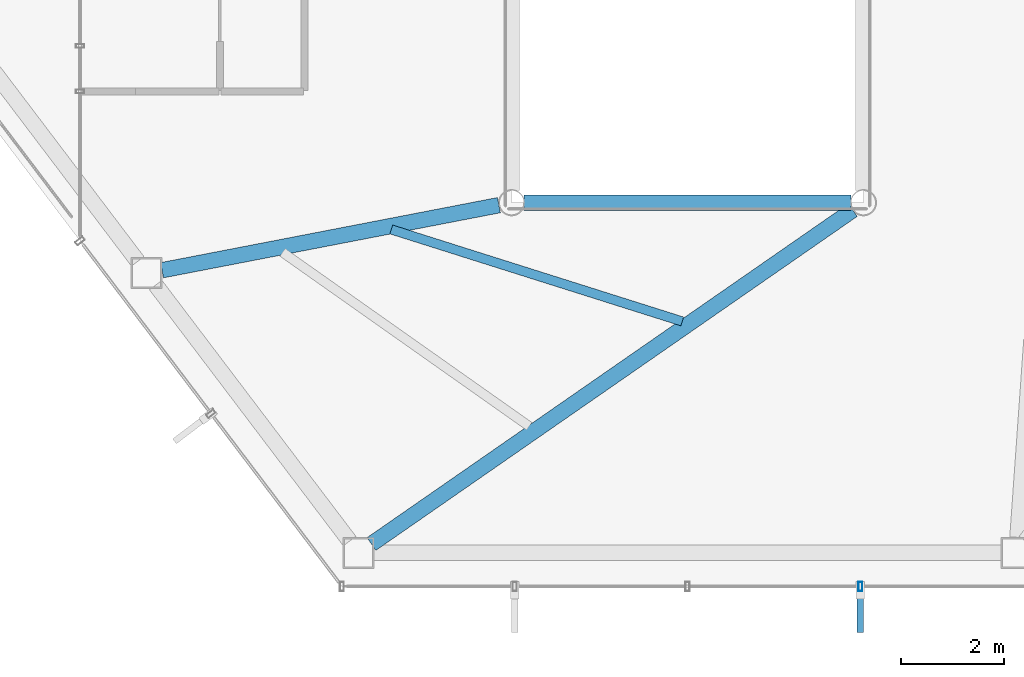
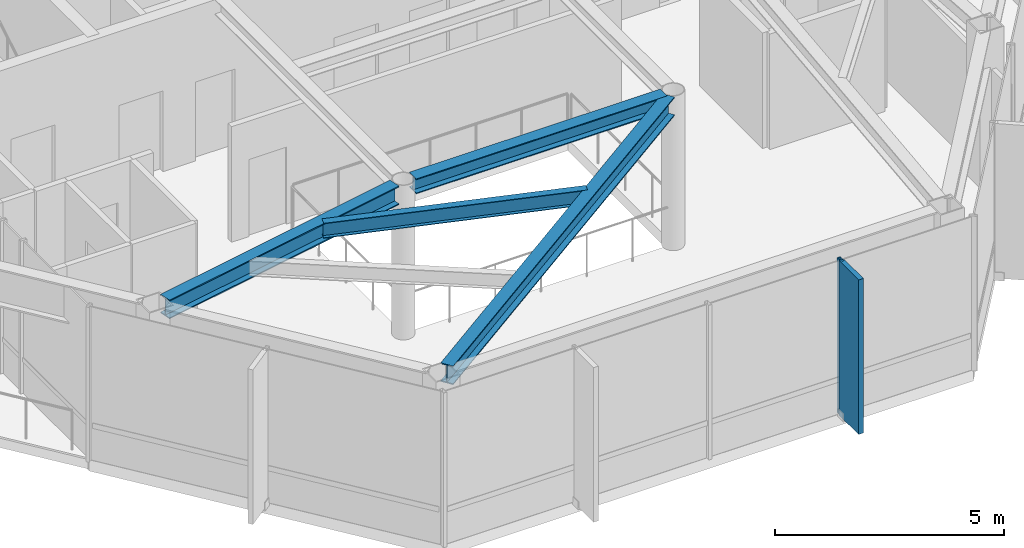
# One storey, part 5 of 23: 4 beams, 2 members, 1 element without a shape of its own.
"""IFC4 building model written with IfcOpenShell, lengths in metres."""

from ifc_helpers import new_model, si_unit, direction, frame, origin, origin_2d, place, context, subcontext, project, spatial, rectangle, hollow_rectangle, i_section, extrude, material, layer, layer_set, material_profile, profile_set, type_object, element, aggregate, save


model = new_model("IFC4")

# Units and contexts
model_context = context("Model", 3, precision=1e-05, world=origin(), true_north=direction((0.0, 1.0)))
body_context = subcontext(model_context, "Body", "Model", "MODEL_VIEW")
ifc_project = project(units=[si_unit("LENGTHUNIT", "METRE"), si_unit("AREAUNIT", "SQUARE_METRE"), si_unit("VOLUMEUNIT", "CUBIC_METRE"), si_unit("PLANEANGLEUNIT", "RADIAN"), si_unit("MASSUNIT", "GRAM", prefix="KILO")], contexts=[model_context])

# Site, building, storey
site_placement = place(None, origin())
site = spatial("IfcSite", under=ifc_project, at=site_placement, CompositionType="ELEMENT")
building_placement = place(site_placement, origin())
building = spatial("IfcBuilding", under=site, at=building_placement, Name="Zarrinselat Tower", CompositionType="ELEMENT")
storey_placement = place(building_placement, frame((0.0, 0.0, 199.919921875)))
storey = spatial("IfcBuildingStorey", under=building, at=storey_placement, Name="L49", CompositionType="ELEMENT", Elevation=199.919921875)

# Beams
ifc_material_1 = material(Name="Steel S355J2", Category="steel")
ifc_material_profile_1 = material_profile(ifc_material_1, i_section(OverallWidth=0.300048828125, OverallDepth=0.39990234375, WebThickness=0.013427734375, FlangeThickness=0.02392578125, at=origin_2d()), Name="HEB 400")
ifc_profile_set_1 = profile_set([ifc_material_profile_1], Name="Steel S355J2")
beam_type_1 = type_object("IfcBeamType", Name="BM-HEB400", PredefinedType="BEAM", material=ifc_profile_set_1)
beam_1_placement = place(storey_placement, frame((35.239990234375, 25.199951171875, 3.920166015625), z_axis=(1.0, 0.0, 0.0), x_axis=(0.0, 1.0, 0.0)))
element("IfcBeam", 1, at=beam_1_placement, inside=storey, type_object=beam_type_1, Name="L49 Atrium Edge Beam S", PredefinedType="BEAM", context=body_context, shape_type="SweptSolid", body=[
    extrude(i_section(OverallWidth=0.300048828125, OverallDepth=0.39990234375, WebThickness=0.013427734375, FlangeThickness=0.02392578125, at=origin_2d()), origin(), (0.0, 0.0, 1.0), 6.320068359375),
])
ifc_material_2 = material(Name="Steel S355J2", Category="steel")
ifc_material_profile_2 = material_profile(ifc_material_2, i_section(OverallWidth=0.300048828125, OverallDepth=0.5, WebThickness=0.014404296875, FlangeThickness=0.028076171875, at=origin_2d()), Name="HEB 500")
ifc_profile_set_2 = profile_set([ifc_material_profile_2], Name="Steel S355J2")
beam_type_2 = type_object("IfcBeamType", Name="BM-HEB500", PredefinedType="BEAM", material=ifc_profile_set_2)
beam_2_placement = place(storey_placement, frame((28.242919921875, 23.894775390625, 3.8701171875), z_axis=(0.981849349882, 0.189662474245, 0.0), x_axis=(-0.189662474245, 0.981849349882, 0.0)))
element("IfcBeam", 2, at=beam_2_placement, inside=storey, type_object=beam_type_2, Name="L49 Radial Primary Girder RG09", PredefinedType="BEAM", context=body_context, shape_type="SweptSolid", body=[
    extrude(i_section(OverallWidth=0.300048828125, OverallDepth=0.5, WebThickness=0.014404296875, FlangeThickness=0.028076171875, at=origin_2d()), origin(), (0.0, 0.0, 1.0), 6.6318359375),
])
beam_3_placement = place(storey_placement, frame((32.29052734375, 18.602783203125, 3.8701171875), z_axis=(0.821628297802, 0.57002363131, 0.0), x_axis=(-0.57002363131, 0.821628297802, 0.0)))
element("IfcBeam", 3, at=beam_3_placement, inside=storey, type_object=beam_type_2, Name="L49 Radial Primary Girder RG10", PredefinedType="BEAM", context=body_context, shape_type="SweptSolid", body=[
    extrude(i_section(OverallWidth=0.300048828125, OverallDepth=0.5, WebThickness=0.014404296875, FlangeThickness=0.028076171875, at=origin_2d()), origin(), (0.0, 0.0, 1.0), 11.32373046875),
])
ifc_material_3 = material(Name="Steel S355J2", Category="steel")
ifc_material_profile_3 = material_profile(ifc_material_3, i_section(OverallWidth=0.179931640625, OverallDepth=0.39990234375, WebThickness=0.008544921875, FlangeThickness=0.013427734375, at=origin_2d()), Name="IPE 400")
ifc_profile_set_3 = profile_set([ifc_material_profile_3], Name="Steel S355J2")
beam_type_3 = type_object("IfcBeamType", Name="BM-IPE400", PredefinedType="JOIST", material=ifc_profile_set_3)
beam_4_placement = place(storey_placement, frame((32.674072265625, 24.682861328125, 3.920166015625), z_axis=(0.953486271913, -0.301436443174, 0.0), x_axis=(0.301436443174, 0.953486271913, 0.0)))
element("IfcBeam", 4, at=beam_4_placement, inside=storey, type_object=beam_type_3, Name="L49 Composite Floor Joist 1-2", PredefinedType="JOIST", context=body_context, shape_type="SweptSolid", body=[
    extrude(i_section(OverallWidth=0.179931640625, OverallDepth=0.39990234375, WebThickness=0.008544921875, FlangeThickness=0.013427734375, at=origin_2d()), origin(), (0.0, 0.0, 1.0), 5.89794921875),
])

# Curtain wall, members
ifc_material_4 = material(Name="Extruded Aluminium Alloy EN AW-6063 T6", Category="aluminium")
ifc_layer = layer(ifc_material_4, 0.195068359375)
ifc_layer_set = layer_set([ifc_layer], Name="Extruded Aluminium Alloy EN AW-6063 T6")
curtain_wall_type = type_object("IfcCurtainWallType", Name="CWS-GDN", PredefinedType="NOTDEFINED", material=ifc_layer_set)
curtain_wall_placement = place(storey_placement, origin())
curtain_wall = element("IfcCurtainWall", 5, at=curtain_wall_placement, inside=storey, type_object=curtain_wall_type, Name="L49 Unitised Curtain Wall CW-L49-E05", PredefinedType="NOTDEFINED")
ifc_material_5 = material(Name="Extruded Aluminium Alloy EN AW-6063 T6", Category="aluminium")
ifc_material_profile_4 = material_profile(ifc_material_5, hollow_rectangle(XDim=0.080078125, YDim=0.179931640625, WallThickness=0.0048828125, at=origin_2d()), Name="RHS 180x80x5")
ifc_profile_set_4 = profile_set([ifc_material_profile_4], Name="Extruded Aluminium Alloy EN AW-6063 T6")
member_type_1 = type_object("IfcMemberType", Name="MEM-CW-MUL", PredefinedType="MULLION", material=ifc_profile_set_4)
member_1_placement = place(storey_placement, frame((41.740234375, 17.78076171875, 0.0), z_axis=(0.0, 0.0, 1.0), x_axis=(-1.0, 0.0, 0.0)))
member_1 = element("IfcMember", 6, at=member_1_placement, type_object=member_type_1, Name="CW-L49-E05 Mullion 1", PredefinedType="MULLION", context=body_context, shape_type="SweptSolid", body=[
    extrude(hollow_rectangle(XDim=0.080078125, YDim=0.179931640625, WallThickness=0.0048828125, at=origin_2d()), origin(), (0.0, 0.0, 1.0), 4.1201171875),
])
ifc_material_6 = material(Name="Honed Cream Travertine Stone", Category="masonry")
ifc_material_profile_5 = material_profile(ifc_material_6, rectangle(XDim=0.1201171875, YDim=0.85009765625, at=origin_2d()), Name="FIN 850x120")
ifc_profile_set_5 = profile_set([ifc_material_profile_5], Name="Honed Cream Travertine Stone")
member_type_2 = type_object("IfcMemberType", Name="MEM-STONE-FIN", PredefinedType="USERDEFINED", material=ifc_profile_set_5)
member_2_placement = place(storey_placement, frame((41.740234375, 17.32080078125, 0.0), z_axis=(0.0, 0.0, 1.0), x_axis=(-1.0, 0.0, 0.0)))
member_2 = element("IfcMember", 7, at=member_2_placement, type_object=member_type_2, Name="L49 Stone Shading Fin CW-L49-E05-01", ObjectType="FIN", PredefinedType="USERDEFINED", context=body_context, shape_type="SweptSolid", body=[
    extrude(rectangle(XDim=0.1201171875, YDim=0.85009765625, at=origin_2d()), origin(), (0.0, 0.0, 1.0), 4.1201171875),
])
aggregate(curtain_wall, [member_1, member_2])

save(model, "model.ifc")
